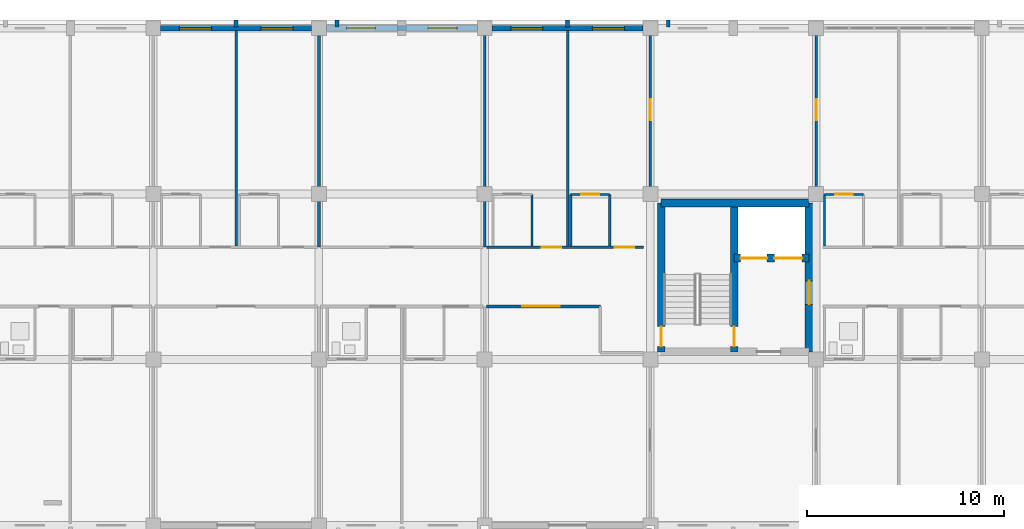
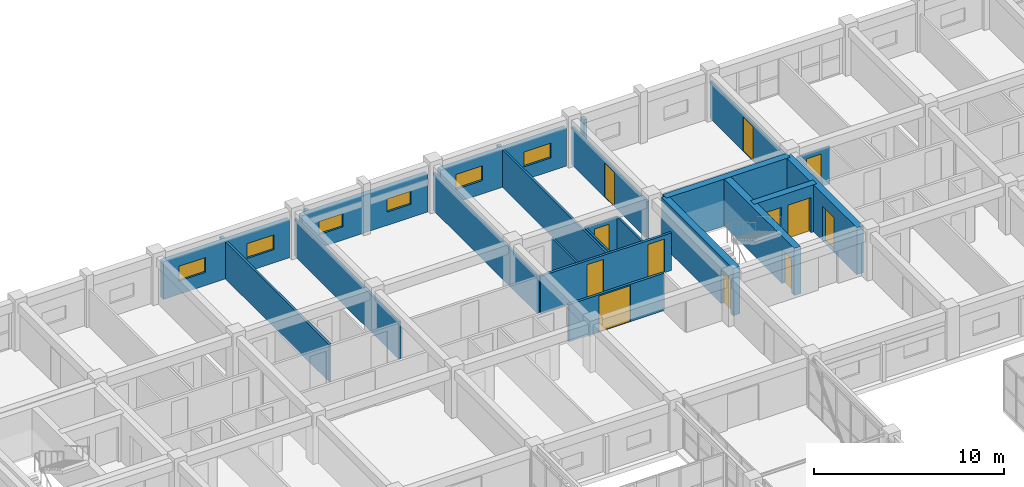
# One storey, part 178 of 200: 26 walls, 12 doors, 6 windows, 18 openings.
"""IFC4 building model written with IfcOpenShell, lengths in metres."""

from ifc_helpers import new_model, si_unit, direction, frame, frame_2d, origin, place, context, subcontext, project, spatial, rectangle, extrude, material, layer, layer_set, type_object, element, fill, save


model = new_model("IFC4")

# Units and contexts
model_context = context("Model", 3, precision=1e-05, world=origin(), true_north=direction((0.0, 1.0)))
body_context = subcontext(model_context, "Body", "Model", "MODEL_VIEW")
ifc_project = project(units=[si_unit("LENGTHUNIT", "METRE"), si_unit("AREAUNIT", "SQUARE_METRE"), si_unit("VOLUMEUNIT", "CUBIC_METRE"), si_unit("PLANEANGLEUNIT", "RADIAN"), si_unit("MASSUNIT", "GRAM", prefix="KILO")], contexts=[model_context])

# Site, building, storey
site_placement = place(None, origin())
site = spatial("IfcSite", under=ifc_project, at=site_placement, CompositionType="ELEMENT")
building_placement = place(site_placement, origin())
building = spatial("IfcBuilding", under=site, at=building_placement, Name="Trelvath General Hospital", CompositionType="ELEMENT")
storey_placement = place(building_placement, frame((0.0, 0.0, 4.800048828125)))
storey = spatial("IfcBuildingStorey", under=building, at=storey_placement, Name="L01", CompositionType="ELEMENT", Elevation=4.800048828125)

# Walls
ifc_material_1 = material(Name="Precast concrete C40/50", Category="concrete")
ifc_layer_1 = layer(ifc_material_1, 0.199951171875)
ifc_layer_set_1 = layer_set([ifc_layer_1], Name="Precast concrete C40/50")
wall_type_1 = type_object("IfcWallType", Name="BriseSoleilRib 200", PredefinedType="ELEMENTEDWALL", material=ifc_layer_set_1)
for number, where, z_axis, x_axis, name in (
    (1, (63.0, 117.675048828125, 0.0), (0.0, 0.0, 1.0), (0.0, 1.0, 0.0), "Precast Concrete Brise-Soleil Rib Fin L01-104"),
    (2, (68.106201171875, 117.675048828125, 0.0), (0.0, 0.0, 1.0), (0.0, 1.0, 0.0), "Precast Concrete Brise-Soleil Rib Fin L01-108"),
    (3, (79.800048828125, 117.675048828125, 0.0), (0.0, 0.0, 1.0), (0.0, 1.0, 0.0), "Precast Concrete Brise-Soleil Rib Fin L01-110"),
    (4, (84.90625, 117.675048828125, 0.0), (0.0, 0.0, 1.0), (0.0, 1.0, 0.0), "Precast Concrete Brise-Soleil Rib Fin L01-114"),
):
    element("IfcWall", number, at=place(storey_placement, frame(where, z_axis=z_axis, x_axis=x_axis)), inside=storey, type_object=wall_type_1, Name=name, PredefinedType="ELEMENTEDWALL", context=body_context, shape_type="SweptSolid", body=[
        extrude(rectangle(XDim=0.33984375, YDim=0.199951171875, at=frame_2d((0.169921875, 0.0))), origin(), (0.0, 0.0, 1.0), 2.39990234375),
    ])

# Wall, opening, door
ifc_material_2 = material(Name="Gypsum acoustic steel-stud partition", Category="steel")
ifc_layer_2 = layer(ifc_material_2, 0.14990234375)
ifc_layer_set_2 = layer_set([ifc_layer_2], Name="Gypsum acoustic steel-stud partition")
wall_type_2 = type_object("IfcWallType", Name="ClinicalPartition 150", PredefinedType="PARTITIONING", material=ifc_layer_set_2)
wall_1_placement = place(storey_placement, frame((75.679931640625, 103.5, 0.0), z_axis=(0.0, 0.0, 1.0), x_axis=(1.0, 0.0, 0.0)))
wall_1 = element("IfcWall", 5, at=wall_1_placement, inside=storey, type_object=wall_type_2, Name="Bridge Lounge Partition L01-580", PredefinedType="PARTITIONING", context=body_context, shape_type="SweptSolid", body=[
    extrude(rectangle(XDim=5.780029296875, YDim=0.14990234375, at=frame_2d((2.89013671875, 0.0))), origin(), (0.0, 0.0, 1.0), 2.39990234375),
])
opening_1_placement = place(wall_1_placement, frame((1.830078125, 0.0, 0.0)))
opening_1 = element("IfcOpeningElement", 6, at=opening_1_placement, cuts=wall_1, Name="Opening D-1-0572", PredefinedType="OPENING", context=body_context, shape_type="SweptSolid", body=[
    extrude(rectangle(XDim=1.89990234375, YDim=2.320068359375, at=frame_2d((0.949951171875, 1.16015625))), frame((0.0, 0.0849609375, 0.0), z_axis=(0.0, -1.0, 0.0), x_axis=(1.0, 0.0, 0.0)), (0.0, 0.0, 1.0), 0.169921875),
])
ifc_material_3 = material(Name="Thermally broken glazed aluminium pair", Category="aluminium")
door_type_1 = type_object("IfcDoorType", Name="Door BridgeEntry 1900x2400", OperationType="DOUBLE_SWING_LEFT", PredefinedType="DOOR", material=ifc_material_3)
door_1_placement = place(opening_1_placement, origin())
door_1 = element("IfcDoor", 7, at=door_1_placement, inside=storey, type_object=door_type_1, Name="Bridge Lounge Door L01-572", OperationType="DOUBLE_SWING_LEFT", OverallHeight=2.320068359375, OverallWidth=1.89990234375, PredefinedType="DOOR", context=body_context, shape_type="SweptSolid", body=[
    extrude(rectangle(XDim=1.89990234375, YDim=2.320068359375, at=frame_2d((0.949951171875, 1.16015625))), frame((0.0, 0.02490234375, 0.0), z_axis=(0.0, -1.0, 0.0), x_axis=(1.0, 0.0, 0.0)), (0.0, 0.0, 1.0), 0.050048828125),
])
fill(opening_1, door_1)

# Wall, openings, doors
wall_2_placement = place(storey_placement, frame((83.639892578125, 106.5, 0.0), z_axis=(0.0, 0.0, 1.0), x_axis=(-1.0, 0.0, 0.0)))
wall_2 = element("IfcWall", 8, at=wall_2_placement, inside=storey, type_object=wall_type_2, Name="Corridor Partition N L01-583", PredefinedType="PARTITIONING", context=body_context, shape_type="SweptSolid", body=[
    extrude(rectangle(XDim=7.9599609375, YDim=0.14990234375, at=frame_2d((3.97998046875, 0.0))), origin(), (0.0, 0.0, 1.0), 2.39990234375),
])
opening_2_placement = place(wall_2_placement, frame((0.449951171875, 0.0, 0.0)))
opening_2 = element("IfcOpeningElement", 9, at=opening_2_placement, cuts=wall_2, Name="Opening D-1-0573", PredefinedType="OPENING", context=body_context, shape_type="SweptSolid", body=[
    extrude(rectangle(XDim=1.0, YDim=2.14990234375, at=frame_2d((0.5, 1.074951171875))), frame((0.0, 0.0849609375, 0.0), z_axis=(0.0, -1.0, 0.0), x_axis=(1.0, 0.0, 0.0)), (0.0, 0.0, 1.0), 0.169921875),
])
opening_3_placement = place(wall_2_placement, frame((4.14990234375, 0.0, 0.0)))
opening_3 = element("IfcOpeningElement", 10, at=opening_3_placement, cuts=wall_2, Name="Opening D-1-0574", PredefinedType="OPENING", context=body_context, shape_type="SweptSolid", body=[
    extrude(rectangle(XDim=1.0, YDim=2.14990234375, at=frame_2d((0.5, 1.074951171875))), frame((0.0, 0.0849609375, 0.0), z_axis=(0.0, -1.0, 0.0), x_axis=(1.0, 0.0, 0.0)), (0.0, 0.0, 1.0), 0.169921875),
])
ifc_material_4 = material(Name="Acoustic hospital timber leaf", Category="wood")
door_type_2 = type_object("IfcDoorType", Name="Door Consult 1000x2150", OperationType="NOTDEFINED", PredefinedType="DOOR", material=ifc_material_4)
door_2_placement = place(opening_2_placement, origin())
door_2 = element("IfcDoor", 11, at=door_2_placement, inside=storey, type_object=door_type_2, Name="Patient Room Door N L01-573", OperationType="SINGLE_SWING_LEFT", OverallHeight=2.14990234375, OverallWidth=1.0, PredefinedType="DOOR", context=body_context, shape_type="SweptSolid", body=[
    extrude(rectangle(XDim=1.0, YDim=2.14990234375, at=frame_2d((0.5, 1.074951171875))), frame((0.0, 0.02490234375, 0.0), z_axis=(0.0, -1.0, 0.0), x_axis=(1.0, 0.0, 0.0)), (0.0, 0.0, 1.0), 0.050048828125),
])
fill(opening_2, door_2)
door_3_placement = place(opening_3_placement, origin())
door_3 = element("IfcDoor", 12, at=door_3_placement, inside=storey, type_object=door_type_2, Name="Patient Room Door N L01-574", OperationType="SINGLE_SWING_LEFT", OverallHeight=2.14990234375, OverallWidth=1.0, PredefinedType="DOOR", context=body_context, shape_type="SweptSolid", body=[
    extrude(rectangle(XDim=1.0, YDim=2.14990234375, at=frame_2d((0.5, 1.074951171875))), frame((0.0, 0.02490234375, 0.0), z_axis=(0.0, -1.0, 0.0), x_axis=(1.0, 0.0, 0.0)), (0.0, 0.0, 1.0), 0.050048828125),
])
fill(opening_3, door_3)

# Wall
ifc_material_5 = material(Name="Concrete C40/50", Category="concrete")
ifc_layer_3 = layer(ifc_material_5, 0.39990234375)
ifc_layer_set_3 = layer_set([ifc_layer_3], Name="Concrete C40/50")
wall_type_3 = type_object("IfcWallType", Name="CoreShearWall 400", PredefinedType="SHEAR", material=ifc_layer_set_3)
wall_3_placement = place(storey_placement, frame((84.550048828125, 108.75, 0.0), z_axis=(0.0, 0.0, 1.0), x_axis=(1.0, 0.0, 0.0)))
element("IfcWall", 13, at=wall_3_placement, inside=storey, type_object=wall_type_3, Name="Core Shear Wall C2 N L01", PredefinedType="SHEAR", context=body_context, shape_type="SweptSolid", body=[
    extrude(rectangle(XDim=7.5, YDim=0.39990234375, at=frame_2d((3.75, 0.0))), origin(), (0.0, 0.0, 1.0), 3.02001953125),
])

# Wall, opening, door
wall_4_placement = place(storey_placement, frame((84.550048828125, 101.199951171875, 0.0), z_axis=(0.0, 0.0, 1.0), x_axis=(0.0, 1.0, 0.0)))
wall_4 = element("IfcWall", 14, at=wall_4_placement, inside=storey, type_object=wall_type_3, Name="Core Shear Wall C2 W L01", PredefinedType="SHEAR", context=body_context, shape_type="SweptSolid", body=[
    extrude(rectangle(XDim=7.550048828125, YDim=0.39990234375, at=frame_2d((3.77490234375, 0.0))), origin(), (0.0, 0.0, 1.0), 3.02001953125),
])
opening_4_placement = place(wall_4_placement, frame((0.280029296875, 0.0, 0.0)))
opening_4 = element("IfcOpeningElement", 15, at=opening_4_placement, cuts=wall_4, Name="Opening FD-SW21", PredefinedType="OPENING", context=body_context, shape_type="SweptSolid", body=[
    extrude(rectangle(XDim=1.0, YDim=2.14990234375, at=frame_2d((0.5, 1.074951171875))), frame((0.0, 0.2099609375, 0.0), z_axis=(0.0, -1.0, 0.0), x_axis=(1.0, 0.0, 0.0)), (0.0, 0.0, 1.0), 0.419921875),
])
ifc_material_6 = material(Name="Fire-rated steel door", Category="steel")
door_type_3 = type_object("IfcDoorType", Name="Door FireStair 1100x2150", OperationType="NOTDEFINED", PredefinedType="DOOR", material=ifc_material_6)
door_4_placement = place(opening_4_placement, origin())
door_4 = element("IfcDoor", 16, at=door_4_placement, inside=storey, type_object=door_type_3, Name="West Corridor Stair Door ST2 L01", OperationType="SINGLE_SWING_LEFT", OverallHeight=2.14990234375, OverallWidth=1.0, PredefinedType="DOOR", context=body_context, shape_type="SweptSolid", body=[
    extrude(rectangle(XDim=1.0, YDim=2.14990234375, at=frame_2d((0.5, 1.074951171875))), frame((0.0, 0.02490234375, 0.0), z_axis=(0.0, -1.0, 0.0), x_axis=(1.0, 0.0, 0.0)), (0.0, 0.0, 1.0), 0.050048828125),
])
fill(opening_4, door_4)

wall_5_placement = place(storey_placement, frame((92.050048828125, 101.199951171875, 0.0), z_axis=(0.0, 0.0, 1.0), x_axis=(0.0, 1.0, 0.0)))
wall_5 = element("IfcWall", 17, at=wall_5_placement, inside=storey, type_object=wall_type_3, Name="Core Shear Wall C2 E L01", PredefinedType="SHEAR", context=body_context, shape_type="SweptSolid", body=[
    extrude(rectangle(XDim=7.550048828125, YDim=0.39990234375, at=frame_2d((3.77490234375, 0.0))), origin(), (0.0, 0.0, 1.0), 3.02001953125),
])
opening_5_placement = place(wall_5_placement, frame((2.39990234375, 0.0, 0.0)))
opening_5 = element("IfcOpeningElement", 18, at=opening_5_placement, cuts=wall_5, Name="Opening FD-LE21", PredefinedType="OPENING", context=body_context, shape_type="SweptSolid", body=[
    extrude(rectangle(XDim=1.199951171875, YDim=2.199951171875, at=frame_2d((0.60009765625, 1.10009765625))), frame((0.0, 0.2099609375, 0.0), z_axis=(0.0, -1.0, 0.0), x_axis=(1.0, 0.0, 0.0)), (0.0, 0.0, 1.0), 0.419921875),
])
ifc_material_7 = material(Name="Fire-rated steel door", Category="steel")
door_type_4 = type_object("IfcDoorType", Name="Door FireLobby 1200x2200", OperationType="NOTDEFINED", PredefinedType="DOOR", material=ifc_material_7)
door_5_placement = place(opening_5_placement, origin())
door_5 = element("IfcDoor", 19, at=door_5_placement, inside=storey, type_object=door_type_4, Name="Fire Lobby East Corridor Door C2 L01", OperationType="SINGLE_SWING_LEFT", OverallHeight=2.199951171875, OverallWidth=1.199951171875, PredefinedType="DOOR", context=body_context, shape_type="SweptSolid", body=[
    extrude(rectangle(XDim=1.199951171875, YDim=2.199951171875, at=frame_2d((0.60009765625, 1.10009765625))), frame((0.0, 0.02490234375, 0.0), z_axis=(0.0, -1.0, 0.0), x_axis=(1.0, 0.0, 0.0)), (0.0, 0.0, 1.0), 0.050048828125),
])
fill(opening_5, door_5)

wall_6_placement = place(storey_placement, frame((88.25, 101.199951171875, 0.0), z_axis=(0.0, 0.0, 1.0), x_axis=(0.0, 1.0, 0.0)))
wall_6 = element("IfcWall", 20, at=wall_6_placement, inside=storey, type_object=wall_type_3, Name="Core Shear Wall C2 SPINE L01", PredefinedType="SHEAR", context=body_context, shape_type="SweptSolid", body=[
    extrude(rectangle(XDim=7.550048828125, YDim=0.39990234375, at=frame_2d((3.77490234375, 0.0))), origin(), (0.0, 0.0, 1.0), 3.02001953125),
])
opening_6_placement = place(wall_6_placement, frame((0.280029296875, 0.0, 0.0)))
opening_6 = element("IfcOpeningElement", 21, at=opening_6_placement, cuts=wall_6, Name="Opening FD-S21", PredefinedType="OPENING", context=body_context, shape_type="SweptSolid", body=[
    extrude(rectangle(XDim=1.0, YDim=2.14990234375, at=frame_2d((0.5, 1.074951171875))), frame((0.0, 0.2099609375, 0.0), z_axis=(0.0, -1.0, 0.0), x_axis=(1.0, 0.0, 0.0)), (0.0, 0.0, 1.0), 0.419921875),
])
door_6_placement = place(opening_6_placement, origin())
door_6 = element("IfcDoor", 22, at=door_6_placement, inside=storey, type_object=door_type_3, Name="Exit Stair Door ST2 L01", OperationType="SINGLE_SWING_RIGHT", OverallHeight=2.14990234375, OverallWidth=1.0, PredefinedType="DOOR", context=body_context, shape_type="SweptSolid", body=[
    extrude(rectangle(XDim=1.0, YDim=2.14990234375, at=frame_2d((0.5, 1.074951171875))), frame((0.0, 0.02490234375, 0.0), z_axis=(0.0, -1.0, 0.0), x_axis=(1.0, 0.0, 0.0)), (0.0, 0.0, 1.0), 0.050048828125),
])
fill(opening_6, door_6)

# Wall, openings, doors
wall_7_placement = place(storey_placement, frame((88.25, 105.949951171875, 0.0), z_axis=(0.0, 0.0, 1.0), x_axis=(1.0, 0.0, 0.0)))
wall_7 = element("IfcWall", 23, at=wall_7_placement, inside=storey, type_object=wall_type_3, Name="Core Shear Wall C2 SHAFT L01", PredefinedType="SHEAR", context=body_context, shape_type="SweptSolid", body=[
    extrude(rectangle(XDim=3.800048828125, YDim=0.39990234375, at=frame_2d((1.89990234375, 0.0))), origin(), (0.0, 0.0, 1.0), 3.02001953125),
])
opening_7_placement = place(wall_7_placement, frame((0.320068359375, 0.0, 0.0)))
opening_7 = element("IfcOpeningElement", 24, at=opening_7_placement, cuts=wall_7, Name="Opening LD-FF2-1", PredefinedType="OPENING", context=body_context, shape_type="SweptSolid", body=[
    extrude(rectangle(XDim=1.35009765625, YDim=2.25, at=frame_2d((0.675048828125, 1.125))), frame((0.0, 0.2099609375, 0.0), z_axis=(0.0, -1.0, 0.0), x_axis=(1.0, 0.0, 0.0)), (0.0, 0.0, 1.0), 0.419921875),
])
opening_8_placement = place(wall_7_placement, frame((2.0400390625, 0.0, 0.0)))
opening_8 = element("IfcOpeningElement", 25, at=opening_8_placement, cuts=wall_7, Name="Opening LD-BD2-1", PredefinedType="OPENING", context=body_context, shape_type="SweptSolid", body=[
    extrude(rectangle(XDim=1.39990234375, YDim=2.25, at=frame_2d((0.699951171875, 1.125))), frame((0.0, 0.2099609375, 0.0), z_axis=(0.0, -1.0, 0.0), x_axis=(1.0, 0.0, 0.0)), (0.0, 0.0, 1.0), 0.419921875),
])
ifc_material_8 = material(Name="Stainless steel stretcher lift landing door", Category="steel")
door_type_5 = type_object("IfcDoorType", Name="Door LiftBed 1400x2250", OperationType="SLIDING_TO_LEFT", PredefinedType="DOOR", material=ifc_material_8)
door_7_placement = place(opening_8_placement, origin())
door_7 = element("IfcDoor", 26, at=door_7_placement, inside=storey, type_object=door_type_5, Name="Lift Landing Sliding Door LF-BD2 L01", OperationType="SLIDING_TO_LEFT", OverallHeight=2.25, OverallWidth=1.39990234375, PredefinedType="DOOR", context=body_context, shape_type="SweptSolid", body=[
    extrude(rectangle(XDim=1.39990234375, YDim=2.25, at=frame_2d((0.699951171875, 1.125))), frame((0.0, 0.02490234375, 0.0), z_axis=(0.0, -1.0, 0.0), x_axis=(1.0, 0.0, 0.0)), (0.0, 0.0, 1.0), 0.050048828125),
])
fill(opening_8, door_7)
ifc_material_9 = material(Name="Fire-rated stainless lift landing door")
door_type_6 = type_object("IfcDoorType", Name="Door LiftFire 1350x2250", OperationType="SLIDING_TO_LEFT", PredefinedType="DOOR", material=ifc_material_9)
door_8_placement = place(opening_7_placement, origin())
door_8 = element("IfcDoor", 27, at=door_8_placement, inside=storey, type_object=door_type_6, Name="Lift Landing Sliding Door LF-FF2 L01", OperationType="SLIDING_TO_LEFT", OverallHeight=2.25, OverallWidth=1.35009765625, PredefinedType="DOOR", context=body_context, shape_type="SweptSolid", body=[
    extrude(rectangle(XDim=1.35009765625, YDim=2.25, at=frame_2d((0.675048828125, 1.125))), frame((0.0, 0.02490234375, 0.0), z_axis=(0.0, -1.0, 0.0), x_axis=(1.0, 0.0, 0.0)), (0.0, 0.0, 1.0), 0.050048828125),
])
fill(opening_7, door_8)

# Walls
ifc_material_10 = material(Name="Moisture-resistant tile partition")
ifc_layer_4 = layer(ifc_material_10, 0.110107421875)
ifc_layer_set_4 = layer_set([ifc_layer_4], Name="Moisture-resistant tile partition")
wall_type_4 = type_object("IfcWallType", Name="EnSuiteWetWall 110", PredefinedType="PARTITIONING", material=ifc_layer_set_4)
for number, where, z_axis, x_axis, name in (
    (28, (78.0, 106.570068359375, 0.0), (0.0, 0.0, 1.0), (0.0, 1.0, 0.0), "En-Suite E Wall N L01-586"),
    (29, (79.9599609375, 106.570068359375, 0.0), (0.0, 0.0, 1.0), (0.0, 1.0, 0.0), "En-Suite W Wall N L01-588"),
    (30, (81.93994140625, 106.570068359375, 0.0), (0.0, 0.0, 1.0), (0.0, 1.0, 0.0), "En-Suite E Wall N L01-589"),
):
    element("IfcWall", number, at=place(storey_placement, frame(where, z_axis=z_axis, x_axis=x_axis)), inside=storey, type_object=wall_type_4, Name=name, PredefinedType="PARTITIONING", context=body_context, shape_type="SweptSolid", body=[
        extrude(rectangle(XDim=2.60986328125, YDim=0.110107421875, at=frame_2d((1.304931640625, 0.0))), origin(), (0.0, 0.0, 1.0), 2.39990234375),
    ])

# Wall, opening, door
wall_8_placement = place(storey_placement, frame((79.9599609375, 109.179931640625, 0.0), z_axis=(0.0, 0.0, 1.0), x_axis=(1.0, 0.0, 0.0)))
wall_8 = element("IfcWall", 31, at=wall_8_placement, inside=storey, type_object=wall_type_4, Name="En-Suite Bathroom N Partition L01-590", PredefinedType="PARTITIONING", context=body_context, shape_type="SweptSolid", body=[
    extrude(rectangle(XDim=1.97998046875, YDim=0.110107421875, at=frame_2d((0.989990234375, 0.0))), origin(), (0.0, 0.0, 1.0), 2.39990234375),
])
opening_9_placement = place(wall_8_placement, frame((0.5400390625, 0.0, 0.0)))
opening_9 = element("IfcOpeningElement", 32, at=opening_9_placement, cuts=wall_8, Name="Opening D-1-0576", PredefinedType="OPENING", context=body_context, shape_type="SweptSolid", body=[
    extrude(rectangle(XDim=0.89990234375, YDim=2.10009765625, at=frame_2d((0.449951171875, 1.050048828125))), frame((0.0, 0.06494140625, 0.0), z_axis=(0.0, -1.0, 0.0), x_axis=(1.0, 0.0, 0.0)), (0.0, 0.0, 1.0), 0.130126953125),
])
ifc_material_11 = material(Name="Moisture-sealed timber leaf", Category="wood")
door_type_7 = type_object("IfcDoorType", Name="Door EnSuite 900x2100", OperationType="NOTDEFINED", PredefinedType="DOOR", material=ifc_material_11)
door_9_placement = place(opening_9_placement, origin())
door_9 = element("IfcDoor", 33, at=door_9_placement, inside=storey, type_object=door_type_7, Name="En-Suite Bathroom N Door L01-576", OperationType="SINGLE_SWING_LEFT", OverallHeight=2.10009765625, OverallWidth=0.89990234375, PredefinedType="DOOR", context=body_context, shape_type="SweptSolid", body=[
    extrude(rectangle(XDim=0.89990234375, YDim=2.10009765625, at=frame_2d((0.449951171875, 1.050048828125))), frame((0.0, 0.02490234375, 0.0), z_axis=(0.0, -1.0, 0.0), x_axis=(1.0, 0.0, 0.0)), (0.0, 0.0, 1.0), 0.050048828125),
])
fill(opening_9, door_9)

# Wall
wall_9_placement = place(storey_placement, frame((92.820068359375, 106.570068359375, 0.0), z_axis=(0.0, 0.0, 1.0), x_axis=(0.0, 1.0, 0.0)))
element("IfcWall", 34, at=wall_9_placement, inside=storey, type_object=wall_type_4, Name="En-Suite W Wall N L01-605", PredefinedType="PARTITIONING", context=body_context, shape_type="SweptSolid", body=[
    extrude(rectangle(XDim=2.60986328125, YDim=0.110107421875, at=frame_2d((1.304931640625, 0.0))), origin(), (0.0, 0.0, 1.0), 2.39990234375),
])

# Wall, opening, door
wall_10_placement = place(storey_placement, frame((92.820068359375, 109.179931640625, 0.0), z_axis=(0.0, 0.0, 1.0), x_axis=(1.0, 0.0, 0.0)))
wall_10 = element("IfcWall", 35, at=wall_10_placement, inside=storey, type_object=wall_type_4, Name="En-Suite Bathroom N Partition L01-607", PredefinedType="PARTITIONING", context=body_context, shape_type="SweptSolid", body=[
    extrude(rectangle(XDim=1.97998046875, YDim=0.110107421875, at=frame_2d((0.989990234375, 0.0))), origin(), (0.0, 0.0, 1.0), 2.39990234375),
])
opening_10_placement = place(wall_10_placement, frame((0.5400390625, 0.0, 0.0)))
opening_10 = element("IfcOpeningElement", 36, at=opening_10_placement, cuts=wall_10, Name="Opening D-1-0587", PredefinedType="OPENING", context=body_context, shape_type="SweptSolid", body=[
    extrude(rectangle(XDim=0.89990234375, YDim=2.10009765625, at=frame_2d((0.449951171875, 1.050048828125))), frame((0.0, 0.06494140625, 0.0), z_axis=(0.0, -1.0, 0.0), x_axis=(1.0, 0.0, 0.0)), (0.0, 0.0, 1.0), 0.130126953125),
])
door_10_placement = place(opening_10_placement, origin())
door_10 = element("IfcDoor", 37, at=door_10_placement, inside=storey, type_object=door_type_7, Name="En-Suite Bathroom N Door L01-587", OperationType="SINGLE_SWING_LEFT", OverallHeight=2.10009765625, OverallWidth=0.89990234375, PredefinedType="DOOR", context=body_context, shape_type="SweptSolid", body=[
    extrude(rectangle(XDim=0.89990234375, YDim=2.10009765625, at=frame_2d((0.449951171875, 1.050048828125))), frame((0.0, 0.02490234375, 0.0), z_axis=(0.0, -1.0, 0.0), x_axis=(1.0, 0.0, 0.0)), (0.0, 0.0, 1.0), 0.050048828125),
])
fill(opening_10, door_10)

# Wall, openings, windows
ifc_material_12 = material(Name="Concrete C35/45", Category="concrete")
ifc_layer_5 = layer(ifc_material_12, 0.2900390625)
ifc_layer_set_5 = layer_set([ifc_layer_5], Name="Concrete C35/45")
wall_type_5 = type_object("IfcWallType", Name="ExtBushHammeredWall 290", PredefinedType="SOLIDWALL", material=ifc_layer_set_5)
wall_11_placement = place(storey_placement, frame((59.169921875, 117.60009765625, 0.0), z_axis=(0.0, 0.0, 1.0), x_axis=(1.0, 0.0, 0.0)))
wall_11 = element("IfcWall", 38, at=wall_11_placement, inside=storey, type_object=wall_type_5, Name="Exterior Concrete Wall L01-149", PredefinedType="SOLIDWALL", context=body_context, shape_type="SweptSolid", body=[
    extrude(rectangle(XDim=7.66015625, YDim=0.2900390625, at=frame_2d((3.830078125, 0.0))), origin(), (0.0, 0.0, 1.0), 2.419921875),
])
opening_11_placement = place(wall_11_placement, frame((0.951904296875, 0.0, 0.85009765625)))
opening_11 = element("IfcOpeningElement", 39, at=opening_11_placement, cuts=wall_11, Name="Opening WN-1-223", PredefinedType="OPENING", context=body_context, shape_type="SweptSolid", body=[
    extrude(rectangle(XDim=1.6201171875, YDim=0.949951171875, at=frame_2d((0.81005859375, 0.47509765625))), frame((0.0, 0.155029296875, 0.0), z_axis=(0.0, -1.0, 0.0), x_axis=(1.0, 0.0, 0.0)), (0.0, 0.0, 1.0), 0.31005859375),
])
opening_12_placement = place(wall_11_placement, frame((5.088134765625, 0.0, 0.85009765625)))
opening_12 = element("IfcOpeningElement", 40, at=opening_12_placement, cuts=wall_11, Name="Opening WN-1-224", PredefinedType="OPENING", context=body_context, shape_type="SweptSolid", body=[
    extrude(rectangle(XDim=1.6201171875, YDim=0.949951171875, at=frame_2d((0.81005859375, 0.47509765625))), frame((0.0, 0.155029296875, 0.0), z_axis=(0.0, -1.0, 0.0), x_axis=(1.0, 0.0, 0.0)), (0.0, 0.0, 1.0), 0.31005859375),
])
ifc_material_13 = material(Name="Low-E laminated glass", Category="glass")
window_type_1 = type_object("IfcWindowType", Name="Window EmergencyClere 1620x950", PartitioningType="DOUBLE_PANEL_VERTICAL", PredefinedType="WINDOW", material=ifc_material_13)
window_1_placement = place(opening_11_placement, origin())
window_1 = element("IfcWindow", 41, at=window_1_placement, inside=storey, type_object=window_type_1, Name="Solar Reveal Window L01-223", OverallHeight=0.949951171875, OverallWidth=1.6201171875, PartitioningType="SINGLE_PANEL", PredefinedType="WINDOW", context=body_context, shape_type="SweptSolid", body=[
    extrude(rectangle(XDim=1.6201171875, YDim=0.949951171875, at=frame_2d((0.81005859375, 0.47509765625))), frame((0.0, 0.030029296875, 0.0), z_axis=(0.0, -1.0, 0.0), x_axis=(1.0, 0.0, 0.0)), (0.0, 0.0, 1.0), 0.06005859375),
])
fill(opening_11, window_1)
window_2_placement = place(opening_12_placement, origin())
window_2 = element("IfcWindow", 42, at=window_2_placement, inside=storey, type_object=window_type_1, Name="Solar Reveal Window L01-224", OverallHeight=0.949951171875, OverallWidth=1.6201171875, PartitioningType="SINGLE_PANEL", PredefinedType="WINDOW", context=body_context, shape_type="SweptSolid", body=[
    extrude(rectangle(XDim=1.6201171875, YDim=0.949951171875, at=frame_2d((0.81005859375, 0.47509765625))), frame((0.0, 0.030029296875, 0.0), z_axis=(0.0, -1.0, 0.0), x_axis=(1.0, 0.0, 0.0)), (0.0, 0.0, 1.0), 0.06005859375),
])
fill(opening_12, window_2)

wall_12_placement = place(storey_placement, frame((67.570068359375, 117.60009765625, 0.0), z_axis=(0.0, 0.0, 1.0), x_axis=(1.0, 0.0, 0.0)))
wall_12 = element("IfcWall", 43, at=wall_12_placement, inside=storey, type_object=wall_type_5, Name="Exterior Concrete Wall L01-153", PredefinedType="SOLIDWALL", context=body_context, shape_type="SweptSolid", body=[
    extrude(rectangle(XDim=7.659912109375, YDim=0.2900390625, at=frame_2d((3.830078125, 0.0))), origin(), (0.0, 0.0, 1.0), 2.419921875),
])
opening_13_placement = place(wall_12_placement, frame((1.03173828125, 0.0, 0.85009765625)))
opening_13 = element("IfcOpeningElement", 44, at=opening_13_placement, cuts=wall_12, Name="Opening WN-1-231", PredefinedType="OPENING", context=body_context, shape_type="SweptSolid", body=[
    extrude(rectangle(XDim=1.4599609375, YDim=0.85009765625, at=frame_2d((0.72998046875, 0.425048828125))), frame((0.0, 0.155029296875, 0.0), z_axis=(0.0, -1.0, 0.0), x_axis=(1.0, 0.0, 0.0)), (0.0, 0.0, 1.0), 0.31005859375),
])
opening_14_placement = place(wall_12_placement, frame((5.168212890625, 0.0, 0.85009765625)))
opening_14 = element("IfcOpeningElement", 45, at=opening_14_placement, cuts=wall_12, Name="Opening WN-1-232", PredefinedType="OPENING", context=body_context, shape_type="SweptSolid", body=[
    extrude(rectangle(XDim=1.4599609375, YDim=0.85009765625, at=frame_2d((0.72998046875, 0.425048828125))), frame((0.0, 0.155029296875, 0.0), z_axis=(0.0, -1.0, 0.0), x_axis=(1.0, 0.0, 0.0)), (0.0, 0.0, 1.0), 0.31005859375),
])
ifc_material_14 = material(Name="Low-E laminated glass", Category="glass")
window_type_2 = type_object("IfcWindowType", Name="Window ImagingClere 1460x850", PartitioningType="DOUBLE_PANEL_VERTICAL", PredefinedType="WINDOW", material=ifc_material_14)
window_3_placement = place(opening_13_placement, origin())
window_3 = element("IfcWindow", 46, at=window_3_placement, inside=storey, type_object=window_type_2, Name="Solar Reveal Window L01-231", OverallHeight=0.85009765625, OverallWidth=1.4599609375, PartitioningType="SINGLE_PANEL", PredefinedType="WINDOW", context=body_context, shape_type="SweptSolid", body=[
    extrude(rectangle(XDim=1.4599609375, YDim=0.85009765625, at=frame_2d((0.72998046875, 0.425048828125))), frame((0.0, 0.030029296875, 0.0), z_axis=(0.0, -1.0, 0.0), x_axis=(1.0, 0.0, 0.0)), (0.0, 0.0, 1.0), 0.06005859375),
])
fill(opening_13, window_3)
window_4_placement = place(opening_14_placement, origin())
window_4 = element("IfcWindow", 47, at=window_4_placement, inside=storey, type_object=window_type_2, Name="Solar Reveal Window L01-232", OverallHeight=0.85009765625, OverallWidth=1.4599609375, PartitioningType="SINGLE_PANEL", PredefinedType="WINDOW", context=body_context, shape_type="SweptSolid", body=[
    extrude(rectangle(XDim=1.4599609375, YDim=0.85009765625, at=frame_2d((0.72998046875, 0.425048828125))), frame((0.0, 0.030029296875, 0.0), z_axis=(0.0, -1.0, 0.0), x_axis=(1.0, 0.0, 0.0)), (0.0, 0.0, 1.0), 0.06005859375),
])
fill(opening_14, window_4)

wall_13_placement = place(storey_placement, frame((75.969970703125, 117.60009765625, 0.0), z_axis=(0.0, 0.0, 1.0), x_axis=(1.0, 0.0, 0.0)))
wall_13 = element("IfcWall", 48, at=wall_13_placement, inside=storey, type_object=wall_type_5, Name="Exterior Concrete Wall L01-162", PredefinedType="SOLIDWALL", context=body_context, shape_type="SweptSolid", body=[
    extrude(rectangle(XDim=7.659912109375, YDim=0.2900390625, at=frame_2d((3.830078125, 0.0))), origin(), (0.0, 0.0, 1.0), 2.419921875),
])
opening_15_placement = place(wall_13_placement, frame((0.951904296875, 0.0, 0.85009765625)))
opening_15 = element("IfcOpeningElement", 49, at=opening_15_placement, cuts=wall_13, Name="Opening WN-1-235", PredefinedType="OPENING", context=body_context, shape_type="SweptSolid", body=[
    extrude(rectangle(XDim=1.6201171875, YDim=0.949951171875, at=frame_2d((0.81005859375, 0.47509765625))), frame((0.0, 0.155029296875, 0.0), z_axis=(0.0, -1.0, 0.0), x_axis=(1.0, 0.0, 0.0)), (0.0, 0.0, 1.0), 0.31005859375),
])
opening_16_placement = place(wall_13_placement, frame((5.088134765625, 0.0, 0.85009765625)))
opening_16 = element("IfcOpeningElement", 50, at=opening_16_placement, cuts=wall_13, Name="Opening WN-1-236", PredefinedType="OPENING", context=body_context, shape_type="SweptSolid", body=[
    extrude(rectangle(XDim=1.6201171875, YDim=0.949951171875, at=frame_2d((0.81005859375, 0.47509765625))), frame((0.0, 0.155029296875, 0.0), z_axis=(0.0, -1.0, 0.0), x_axis=(1.0, 0.0, 0.0)), (0.0, 0.0, 1.0), 0.31005859375),
])
window_5_placement = place(opening_15_placement, origin())
window_5 = element("IfcWindow", 51, at=window_5_placement, inside=storey, type_object=window_type_1, Name="Solar Reveal Window L01-235", OverallHeight=0.949951171875, OverallWidth=1.6201171875, PartitioningType="SINGLE_PANEL", PredefinedType="WINDOW", context=body_context, shape_type="SweptSolid", body=[
    extrude(rectangle(XDim=1.6201171875, YDim=0.949951171875, at=frame_2d((0.81005859375, 0.47509765625))), frame((0.0, 0.030029296875, 0.0), z_axis=(0.0, -1.0, 0.0), x_axis=(1.0, 0.0, 0.0)), (0.0, 0.0, 1.0), 0.06005859375),
])
fill(opening_15, window_5)
window_6_placement = place(opening_16_placement, origin())
window_6 = element("IfcWindow", 52, at=window_6_placement, inside=storey, type_object=window_type_1, Name="Solar Reveal Window L01-236", OverallHeight=0.949951171875, OverallWidth=1.6201171875, PartitioningType="SINGLE_PANEL", PredefinedType="WINDOW", context=body_context, shape_type="SweptSolid", body=[
    extrude(rectangle(XDim=1.6201171875, YDim=0.949951171875, at=frame_2d((0.81005859375, 0.47509765625))), frame((0.0, 0.030029296875, 0.0), z_axis=(0.0, -1.0, 0.0), x_axis=(1.0, 0.0, 0.0)), (0.0, 0.0, 1.0), 0.06005859375),
])
fill(opening_16, window_6)

# Walls
ifc_material_15 = material(Name="Gypsum acoustic steel-stud partition", Category="steel")
ifc_layer_6 = layer(ifc_material_15, 0.1298828125)
ifc_layer_set_6 = layer_set([ifc_layer_6], Name="Gypsum acoustic steel-stud partition")
wall_type_6 = type_object("IfcWallType", Name="WardPartition 130", PredefinedType="PARTITIONING", material=ifc_layer_set_6)
wall_14_placement = place(storey_placement, frame((63.0, 106.570068359375, 0.0), z_axis=(0.0, 0.0, 1.0), x_axis=(0.0, 1.0, 0.0)))
element("IfcWall", 53, at=wall_14_placement, inside=storey, type_object=wall_type_6, Name="Room Dividing Partition N L01-560", PredefinedType="PARTITIONING", context=body_context, shape_type="SweptSolid", body=[
    extrude(rectangle(XDim=10.929931640625, YDim=0.1298828125, at=frame_2d((5.46484375, 0.0))), origin(), (0.0, 0.0, 1.0), 2.39990234375),
])
for number, where, z_axis, x_axis, name in (
    (54, (67.199951171875, 106.52001953125, 0.0), (0.0, 0.0, 1.0), (0.0, 1.0, 0.0), "Inter-Bay Ward Partition N L01-568"),
    (55, (75.60009765625, 106.52001953125, 0.0), (0.0, 0.0, 1.0), (0.0, 1.0, 0.0), "Inter-Bay Ward Partition N L01-579"),
):
    element("IfcWall", number, at=place(storey_placement, frame(where, z_axis=z_axis, x_axis=x_axis)), inside=storey, type_object=wall_type_6, Name=name, PredefinedType="PARTITIONING", context=body_context, shape_type="SweptSolid", body=[
        extrude(rectangle(XDim=10.93994140625, YDim=0.1298828125, at=frame_2d((5.469970703125, 0.0))), origin(), (0.0, 0.0, 1.0), 2.39990234375),
    ])
wall_15_placement = place(storey_placement, frame((79.800048828125, 106.570068359375, 0.0), z_axis=(0.0, 0.0, 1.0), x_axis=(0.0, 1.0, 0.0)))
element("IfcWall", 56, at=wall_15_placement, inside=storey, type_object=wall_type_6, Name="Room Dividing Partition N L01-584", PredefinedType="PARTITIONING", context=body_context, shape_type="SweptSolid", body=[
    extrude(rectangle(XDim=10.929931640625, YDim=0.1298828125, at=frame_2d((5.46484375, 0.0))), origin(), (0.0, 0.0, 1.0), 2.39990234375),
])

# Wall, opening, door
wall_16_placement = place(storey_placement, frame((84.0, 109.550048828125, 0.0), z_axis=(0.0, 0.0, 1.0), x_axis=(0.0, 1.0, 0.0)))
wall_16 = element("IfcWall", 57, at=wall_16_placement, inside=storey, type_object=wall_type_6, Name="Inter-Bay Ward Partition N L01-592", PredefinedType="PARTITIONING", context=body_context, shape_type="SweptSolid", body=[
    extrude(rectangle(XDim=7.909912109375, YDim=0.1298828125, at=frame_2d((3.955078125, 0.0))), origin(), (0.0, 0.0, 1.0), 2.39990234375),
])
opening_17_placement = place(wall_16_placement, frame((3.39990234375, 0.0, 0.0)))
opening_17 = element("IfcOpeningElement", 58, at=opening_17_placement, cuts=wall_16, Name="Opening D-1-0578", PredefinedType="OPENING", context=body_context, shape_type="SweptSolid", body=[
    extrude(rectangle(XDim=1.050048828125, YDim=2.199951171875, at=frame_2d((0.52490234375, 1.10009765625))), frame((0.0, 0.074951171875, 0.0), z_axis=(0.0, -1.0, 0.0), x_axis=(1.0, 0.0, 0.0)), (0.0, 0.0, 1.0), 0.14990234375),
])
ifc_material_16 = material(Name="Acoustic hospital timber leaf", Category="wood")
door_type_8 = type_object("IfcDoorType", Name="Door Consult 1050x2200", OperationType="NOTDEFINED", PredefinedType="DOOR", material=ifc_material_16)
door_11_placement = place(opening_17_placement, origin())
door_11 = element("IfcDoor", 59, at=door_11_placement, inside=storey, type_object=door_type_8, Name="Consultation Connecting Door L01-578", OperationType="SINGLE_SWING_LEFT", OverallHeight=2.199951171875, OverallWidth=1.050048828125, PredefinedType="DOOR", context=body_context, shape_type="SweptSolid", body=[
    extrude(rectangle(XDim=1.050048828125, YDim=2.199951171875, at=frame_2d((0.52490234375, 1.10009765625))), frame((0.0, 0.02490234375, 0.0), z_axis=(0.0, -1.0, 0.0), x_axis=(1.0, 0.0, 0.0)), (0.0, 0.0, 1.0), 0.050048828125),
])
fill(opening_17, door_11)

wall_17_placement = place(storey_placement, frame((92.39990234375, 109.550048828125, 0.0), z_axis=(0.0, 0.0, 1.0), x_axis=(0.0, 1.0, 0.0)))
wall_17 = element("IfcWall", 60, at=wall_17_placement, inside=storey, type_object=wall_type_6, Name="Inter-Bay Ward Partition N L01-594", PredefinedType="PARTITIONING", context=body_context, shape_type="SweptSolid", body=[
    extrude(rectangle(XDim=7.909912109375, YDim=0.1298828125, at=frame_2d((3.955078125, 0.0))), origin(), (0.0, 0.0, 1.0), 2.39990234375),
])
opening_18_placement = place(wall_17_placement, frame((3.39990234375, 0.0, 0.0)))
opening_18 = element("IfcOpeningElement", 61, at=opening_18_placement, cuts=wall_17, Name="Opening D-1-0580", PredefinedType="OPENING", context=body_context, shape_type="SweptSolid", body=[
    extrude(rectangle(XDim=1.050048828125, YDim=2.199951171875, at=frame_2d((0.52490234375, 1.10009765625))), frame((0.0, 0.074951171875, 0.0), z_axis=(0.0, -1.0, 0.0), x_axis=(1.0, 0.0, 0.0)), (0.0, 0.0, 1.0), 0.14990234375),
])
door_12_placement = place(opening_18_placement, origin())
door_12 = element("IfcDoor", 62, at=door_12_placement, inside=storey, type_object=door_type_8, Name="Consultation Connecting Door L01-580", OperationType="SINGLE_SWING_LEFT", OverallHeight=2.199951171875, OverallWidth=1.050048828125, PredefinedType="DOOR", context=body_context, shape_type="SweptSolid", body=[
    extrude(rectangle(XDim=1.050048828125, YDim=2.199951171875, at=frame_2d((0.52490234375, 1.10009765625))), frame((0.0, 0.02490234375, 0.0), z_axis=(0.0, -1.0, 0.0), x_axis=(1.0, 0.0, 0.0)), (0.0, 0.0, 1.0), 0.050048828125),
])
fill(opening_18, door_12)

save(model, "model.ifc")
